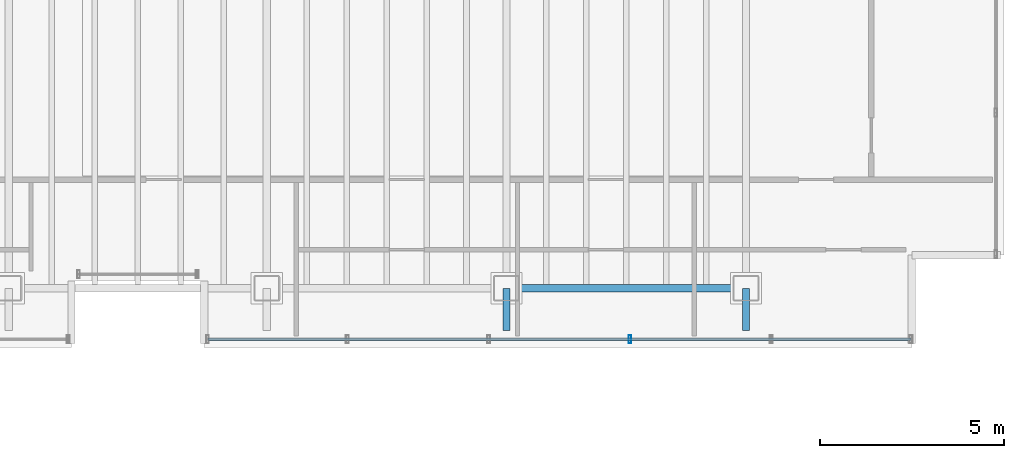
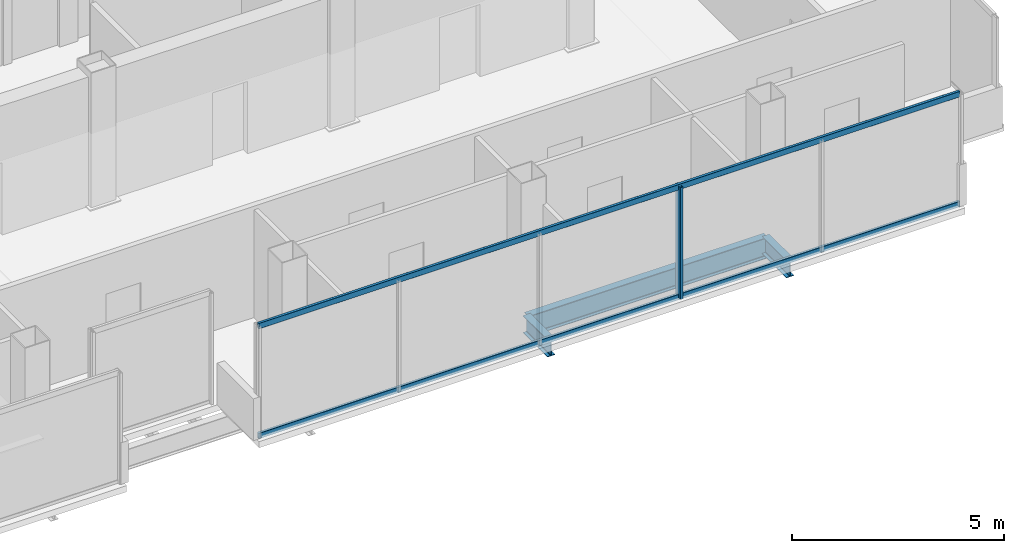
# One storey, part 7 of 17: 3 beams, 3 members, 1 element without a shape of its own.
"""IFC4 building model written with IfcOpenShell, lengths in metres."""

import ifcopenshell
import ifcopenshell.guid

model = None  # the IFC model being written
_history = None  # IfcOwnerHistory: only IFC2X3 demands one
_inside = {}  # id of a spatial element -> (the spatial element, [elements in it])
_under = {}  # id of a project, library or spatial element -> (it, [spatial elements below it])
_declared = {}  # id of a project -> (the project, [libraries it declares])
_typed = {}  # id of a type object -> (the type object, [elements of that type])
_made_of = {}  # id of a material, layer set ... -> (it, [elements and type objects made of it])


def new_model(schema):
    """Start an empty IFC model of exactly this schema.

    Asked for "IFC4X3", IfcOpenShell would pick the latest addendum, in which some entities
    have other attributes; the version numbers below select the first issue.
    IFC2X3 requires an IfcOwnerHistory on every rooted entity: one is made here for all.
    """
    global model, _history
    if schema == "IFC4X3":
        model = ifcopenshell.file(schema_version=(4, 3, 0, 0))
    else:
        model = ifcopenshell.file(schema=schema)
    _inside.clear()
    _under.clear()
    _declared.clear()
    _typed.clear()
    _made_of.clear()
    _history = None
    if model.schema == "IFC2X3":
        org = make("IfcOrganization", Name="unknown")
        user = make(
            "IfcPersonAndOrganization",
            ThePerson=make("IfcPerson", FamilyName="unknown"),
            TheOrganization=org,
        )
        app = make(
            "IfcApplication",
            ApplicationDeveloper=org,
            Version="unknown",
            ApplicationFullName="unknown",
            ApplicationIdentifier="unknown",
        )
        _history = make(
            "IfcOwnerHistory",
            OwningUser=user,
            OwningApplication=app,
            ChangeAction="ADDED",
            CreationDate=0,
        )
    return model


def make(cls, **values):
    """One entity of the class cls with the attributes given. An attribute that is None is left unset."""
    return model.create_entity(
        cls, **{name: value for name, value in values.items() if value is not None}
    )


def rooted(cls, **values):
    """An entity with a GlobalId (a new one), such as an element, a storey or a relation."""
    return make(cls, GlobalId=ifcopenshell.guid.new(), OwnerHistory=_history, **values)


def si_unit(unit_type, name, prefix=None):
    """IfcSIUnit, for example si_unit("LENGTHUNIT", "METRE", prefix="MILLI")."""
    return make("IfcSIUnit", UnitType=unit_type, Prefix=prefix, Name=name)


def assignment(units):
    """IfcUnitAssignment: the units of a project."""
    return None if units is None else make("IfcUnitAssignment", Units=units)


def point(xyz):
    """IfcCartesianPoint."""
    return None if xyz is None else make("IfcCartesianPoint", Coordinates=xyz)


def direction(xyz):
    """IfcDirection."""
    return None if xyz is None else make("IfcDirection", DirectionRatios=xyz)


def frame(location, z_axis=None, x_axis=None):
    """IfcAxis2Placement3D, a coordinate frame: its origin and axes. An axis left out is left unset."""
    return make(
        "IfcAxis2Placement3D",
        Location=point(location),
        Axis=direction(z_axis),
        RefDirection=direction(x_axis),
    )


def frame_2d(location, x_axis=None):
    """IfcAxis2Placement2D, a coordinate frame in the plane: its origin and x axis."""
    return make(
        "IfcAxis2Placement2D", Location=point(location), RefDirection=direction(x_axis)
    )


def origin():
    """The frame at (0, 0, 0) with its axes left unset."""
    return frame((0.0, 0.0, 0.0))


def origin_2d():
    """The frame at (0, 0) in the plane with its x axis left unset."""
    return frame_2d((0.0, 0.0))


def place(relative_to, where):
    """IfcLocalPlacement: puts the frame where relative to a parent placement (None: the world)."""
    return make(
        "IfcLocalPlacement", PlacementRelTo=relative_to, RelativePlacement=where
    )


def context(
    kind, dimensions, precision=None, world=None, true_north=None, identifier=None
):
    """IfcGeometricRepresentationContext, for example the 3D "Model" context."""
    return make(
        "IfcGeometricRepresentationContext",
        ContextIdentifier=identifier,
        ContextType=kind,
        CoordinateSpaceDimension=dimensions,
        Precision=precision,
        WorldCoordinateSystem=world,
        TrueNorth=true_north,
    )


def subcontext(parent, identifier, kind, view, scale=None):
    """IfcGeometricRepresentationSubContext, for example "Body" below "Model"."""
    return make(
        "IfcGeometricRepresentationSubContext",
        ContextIdentifier=identifier,
        ContextType=kind,
        ParentContext=parent,
        TargetScale=scale,
        TargetView=view,
    )


def project(units=None, contexts=None):
    """IfcProject with its units and contexts."""
    return rooted(
        "IfcProject",
        Name="project",
        RepresentationContexts=contexts,
        UnitsInContext=assignment(units),
    )


def spatial(cls, under=None, at=None, **own):
    """A site, building, storey or space (cls), placed at a placement, below another one or the project."""
    s = rooted(cls, ObjectPlacement=at, **own)
    if under is not None:
        _under.setdefault(under.id(), (under, []))[1].append(s)
    return s


def profile(cls, at=None, kind="AREA", **sizes):
    """A parametric profile (cls). Its sizes go by their IFC names, for example OverallWidth=200.0."""
    return make(cls, ProfileType=kind, Position=at, **sizes)


def hollow_rectangle(**sizes):
    """IfcRectangleHollowProfileDef."""
    return profile("IfcRectangleHollowProfileDef", **sizes)


def i_section(**sizes):
    """IfcIShapeProfileDef."""
    return profile("IfcIShapeProfileDef", **sizes)


def extrude(swept, where, along, depth):
    """IfcExtrudedAreaSolid: the profile swept, set in the frame where, extruded along a direction by depth."""
    return make(
        "IfcExtrudedAreaSolid",
        SweptArea=swept,
        Position=where,
        ExtrudedDirection=direction(along),
        Depth=depth,
    )


def shape(context_of_items, identifier, shape_type, items):
    """IfcShapeRepresentation: the items that make up one representation, for example the "Body"."""
    return make(
        "IfcShapeRepresentation",
        ContextOfItems=context_of_items,
        RepresentationIdentifier=identifier,
        RepresentationType=shape_type,
        Items=items,
    )


def material(Name=None, Category=None):
    """IfcMaterial."""
    return make("IfcMaterial", Name=Name, Category=Category)


def material_profile(
    of_material, cross_section, Name=None, Category=None, Priority=None
):
    """IfcMaterialProfile: a cross section and its material."""
    return make(
        "IfcMaterialProfile",
        Name=Name,
        Material=of_material,
        Profile=cross_section,
        Priority=Priority,
        Category=Category,
    )


def profile_set(profiles, Name=None, composite=None):
    """IfcMaterialProfileSet."""
    return make(
        "IfcMaterialProfileSet",
        Name=Name,
        MaterialProfiles=profiles,
        CompositeProfile=composite,
    )


def made_of(thing, what):
    """Note that an element or type object is made of a material, layer set ...; save() writes the relation."""
    if what is not None:
        _made_of.setdefault(what.id(), (what, []))[1].append(thing)
    return thing


def type_object(cls, material=None, **own):
    """A type object (cls), such as IfcWallType, which elements share."""
    return made_of(rooted(cls, **own), material)


def element(
    cls,
    number,
    at=None,
    inside=None,
    cuts=None,
    type_object=None,
    material=None,
    context=None,
    identifier="Body",
    shape_type=None,
    held_by="IfcProductDefinitionShape",
    body=None,
    shapes=None,
    **own,
):
    """One element of the class cls, such as IfcWall. Its Tag is "e" and its number.

    at: its placement. inside: the storey or other place that contains it. cuts: it is an
    opening in that element (IfcRelVoidsElement). A single representation is given by context,
    identifier, shape_type and body (its items); several are given by shapes. held_by: the class
    of the entity that holds the representations. save() writes the other relations.
    """
    e = rooted(cls, Tag="e%d" % number, ObjectPlacement=at, **own)
    if body is not None:
        shapes = [shape(context, identifier, shape_type, body)]
    if shapes is not None:
        e.Representation = make(held_by, Representations=shapes)
    if inside is not None:
        _inside.setdefault(inside.id(), (inside, []))[1].append(e)
    if cuts is not None:
        rooted(
            "IfcRelVoidsElement", RelatingBuildingElement=cuts, RelatedOpeningElement=e
        )
    if type_object is not None:
        _typed.setdefault(type_object.id(), (type_object, []))[1].append(e)
    return made_of(e, material)


def aggregate(whole, parts):
    """IfcRelAggregates: a whole, such as a stair, and the parts it consists of."""
    return rooted("IfcRelAggregates", RelatingObject=whole, RelatedObjects=parts)


def save(model, path):
    """Write the relations noted so far, then the file.

    IfcRelAggregates (storeys below a building ...), IfcRelContainedInSpatialStructure (elements
    in a storey), IfcRelDefinesByType, IfcRelAssociatesMaterial and IfcRelDeclares: one each for
    every whole, place, type object, material and project.
    """
    for whole, parts in _under.values():
        aggregate(whole, parts)
    for where, things in _inside.values():
        rooted(
            "IfcRelContainedInSpatialStructure",
            RelatedElements=things,
            RelatingStructure=where,
        )
    for kind, things in _typed.values():
        rooted("IfcRelDefinesByType", RelatedObjects=things, RelatingType=kind)
    for what, things in _made_of.values():
        rooted("IfcRelAssociatesMaterial", RelatedObjects=things, RelatingMaterial=what)
    for by, libraries in _declared.values():
        rooted("IfcRelDeclares", RelatingContext=by, RelatedDefinitions=libraries)
    model.write(path)


model = new_model("IFC4")

# Units and contexts
model_context = context("Model", 3, precision=1e-05, world=origin(), true_north=direction((0.0, 1.0)))
body_context = subcontext(model_context, "Body", "Model", "MODEL_VIEW")
ifc_project = project(units=[si_unit("LENGTHUNIT", "METRE"), si_unit("AREAUNIT", "SQUARE_METRE"), si_unit("VOLUMEUNIT", "CUBIC_METRE"), si_unit("PLANEANGLEUNIT", "RADIAN"), si_unit("MASSUNIT", "GRAM", prefix="KILO")], contexts=[model_context])

# Site, building, storey
site_placement = place(None, origin())
site = spatial("IfcSite", under=ifc_project, at=site_placement, CompositionType="ELEMENT")
building_placement = place(site_placement, origin())
building = spatial("IfcBuilding", under=site, at=building_placement, Name="Noeulbin Bourse Tower", CompositionType="ELEMENT")
storey_placement = place(building_placement, frame((0.0, 0.0, 296.89990234375)))
storey = spatial("IfcBuildingStorey", under=building, at=storey_placement, Name="L74", CompositionType="ELEMENT", Elevation=296.89990234375)

# Beams
ifc_material_1 = material(Name="Steel S355", Category="steel")
ifc_material_profile_1 = material_profile(ifc_material_1, i_section(OverallWidth=0.199951171875, OverallDepth=0.5, WebThickness=0.010009765625, FlangeThickness=0.01611328125, FilletRadius=0.02001953125, at=origin_2d()), Name="H-500x200x10x16", Category="LoadBearing")
ifc_profile_set_1 = profile_set([ifc_material_profile_1], Name="Steel S355")
beam_type_1 = type_object("IfcBeamType", Name="BM-GRD-500", PredefinedType="USERDEFINED", material=ifc_profile_set_1)
for number, where, z_axis, x_axis, name in (
    (1, (37.5, 18.85009765625, -0.429931640625), (0.0, 1.0, 0.0), (-1.0, 0.0, 0.0), "Tower Primary Girder NS L74-4.1"),
    (2, (44.0, 18.85009765625, -0.429931640625), (0.0, 1.0, 0.0), (-1.0, 0.0, 0.0), "Tower Primary Girder NS L74-5.1"),
):
    element("IfcBeam", number, at=place(storey_placement, frame(where, z_axis=z_axis, x_axis=x_axis)), inside=storey, type_object=beam_type_1, Name=name, ObjectType="GIRDER", PredefinedType="USERDEFINED", context=body_context, shape_type="SweptSolid", body=[
        extrude(i_section(OverallWidth=0.199951171875, OverallDepth=0.5, WebThickness=0.010009765625, FlangeThickness=0.01611328125, FilletRadius=0.02001953125, at=origin_2d()), origin(), (0.0, 0.0, 1.0), 1.14990234375),
    ])
ifc_material_profile_2 = material_profile(ifc_material_1, i_section(OverallWidth=0.199951171875, OverallDepth=0.60009765625, WebThickness=0.010986328125, FlangeThickness=0.01708984375, FilletRadius=0.02197265625, at=origin_2d()), Name="H-600x200x11x17", Category="LoadBearing")
ifc_profile_set_2 = profile_set([ifc_material_profile_2], Name="Steel S355")
beam_type_2 = type_object("IfcBeamType", Name="BM-GRD-600", PredefinedType="USERDEFINED", material=ifc_profile_set_2)
beam_placement = place(storey_placement, frame((37.5, 20.0, -0.47998046875), z_axis=(1.0, 0.0, 0.0), x_axis=(0.0, 1.0, 0.0)))
element("IfcBeam", 3, at=beam_placement, inside=storey, type_object=beam_type_2, Name="Tower Primary Girder EW L74-1.3", ObjectType="GIRDER", PredefinedType="USERDEFINED", context=body_context, shape_type="SweptSolid", body=[
    extrude(i_section(OverallWidth=0.199951171875, OverallDepth=0.60009765625, WebThickness=0.010986328125, FlangeThickness=0.01708984375, FilletRadius=0.02197265625, at=origin_2d()), origin(), (0.0, 0.0, 1.0), 6.5),
])

# Curtain wall, members
ifc_material_2 = material(Name="High-Selectivity Low-Iron Glazing", Category="glass")
curtain_wall_type = type_object("IfcCurtainWallType", Name="CW-SYS-4", PredefinedType="NOTDEFINED", material=ifc_material_2)
curtain_wall_placement = place(storey_placement, origin())
curtain_wall = element("IfcCurtainWall", 4, at=curtain_wall_placement, inside=storey, type_object=curtain_wall_type, Name="Unitised Curtain Wall CW-L74-S2", PredefinedType="NOTDEFINED")
ifc_material_3 = material(Name="Anodised Aluminium 6063-T6", Category="aluminium")
ifc_material_profile_3 = material_profile(ifc_material_3, hollow_rectangle(XDim=0.074951171875, YDim=0.219970703125, WallThickness=0.0048828125, InnerFilletRadius=0.00244140625, OuterFilletRadius=0.0048828125, at=origin_2d()), Name="ALU-MULL-75x220x5", Category="LoadBearing")
ifc_profile_set_3 = profile_set([ifc_material_profile_3], Name="Anodised Aluminium 6063-T6")
member_type_1 = type_object("IfcMemberType", Name="CW-SYS-4-MUL", PredefinedType="MULLION", material=ifc_profile_set_3)
member_1_placement = place(storey_placement, frame((40.85205078125, 18.6201171875, -0.02001953125), z_axis=(0.0, 0.0, 1.0), x_axis=(1.0, 0.0, 0.0)))
member_1 = element("IfcMember", 5, at=member_1_placement, type_object=member_type_1, Name="Curtain Wall Mullion CW-L74-S2-M03", PredefinedType="MULLION", context=body_context, shape_type="SweptSolid", body=[
    extrude(hollow_rectangle(XDim=0.074951171875, YDim=0.219970703125, WallThickness=0.0048828125, InnerFilletRadius=0.00244140625, OuterFilletRadius=0.0048828125, at=origin_2d()), origin(), (0.0, 0.0, 1.0), 3.22021484375),
])
ifc_material_profile_4 = material_profile(ifc_material_3, hollow_rectangle(XDim=0.074951171875, YDim=0.159912109375, WallThickness=0.0048828125, InnerFilletRadius=0.00244140625, OuterFilletRadius=0.0048828125, at=origin_2d()), Name="ALU-TRAN-75x160x5", Category="LoadBearing")
ifc_profile_set_4 = profile_set([ifc_material_profile_4], Name="Anodised Aluminium 6063-T6")
member_type_2 = type_object("IfcMemberType", Name="CW-SYS-4-TRN", PredefinedType="USERDEFINED", material=ifc_profile_set_4)
member_2_placement = place(storey_placement, frame((29.39990234375, 18.6201171875, 0.010009765625), z_axis=(1.0, 0.0, 0.0), x_axis=(0.0, 1.0, 0.0)))
member_2 = element("IfcMember", 6, at=member_2_placement, type_object=member_type_2, Name="Curtain Wall Transom CW-L74-S2-T00", ObjectType="TRANSOM", PredefinedType="USERDEFINED", context=body_context, shape_type="SweptSolid", body=[
    extrude(hollow_rectangle(XDim=0.074951171875, YDim=0.159912109375, WallThickness=0.0048828125, InnerFilletRadius=0.00244140625, OuterFilletRadius=0.0048828125, at=origin_2d()), origin(), (0.0, 0.0, 1.0), 19.070068359375),
])
member_3_placement = place(storey_placement, frame((29.39990234375, 18.6201171875, 3.170166015625), z_axis=(1.0, 0.0, 0.0), x_axis=(0.0, 1.0, 0.0)))
member_3 = element("IfcMember", 7, at=member_3_placement, type_object=member_type_2, Name="Curtain Wall Transom CW-L74-S2-T01", ObjectType="TRANSOM", PredefinedType="USERDEFINED", context=body_context, shape_type="SweptSolid", body=[
    extrude(hollow_rectangle(XDim=0.074951171875, YDim=0.159912109375, WallThickness=0.0048828125, InnerFilletRadius=0.00244140625, OuterFilletRadius=0.0048828125, at=origin_2d()), origin(), (0.0, 0.0, 1.0), 19.070068359375),
])
aggregate(curtain_wall, [member_1, member_2, member_3])

save(model, "model.ifc")
